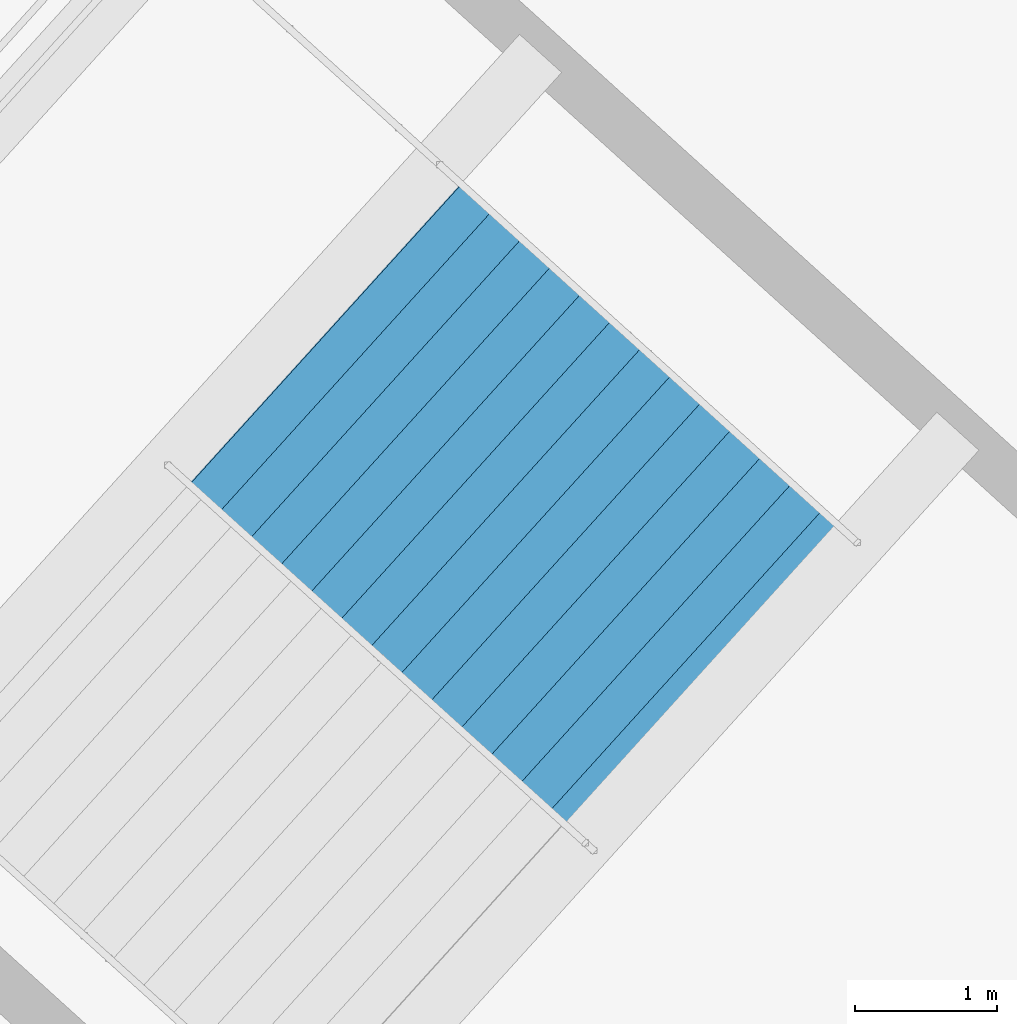
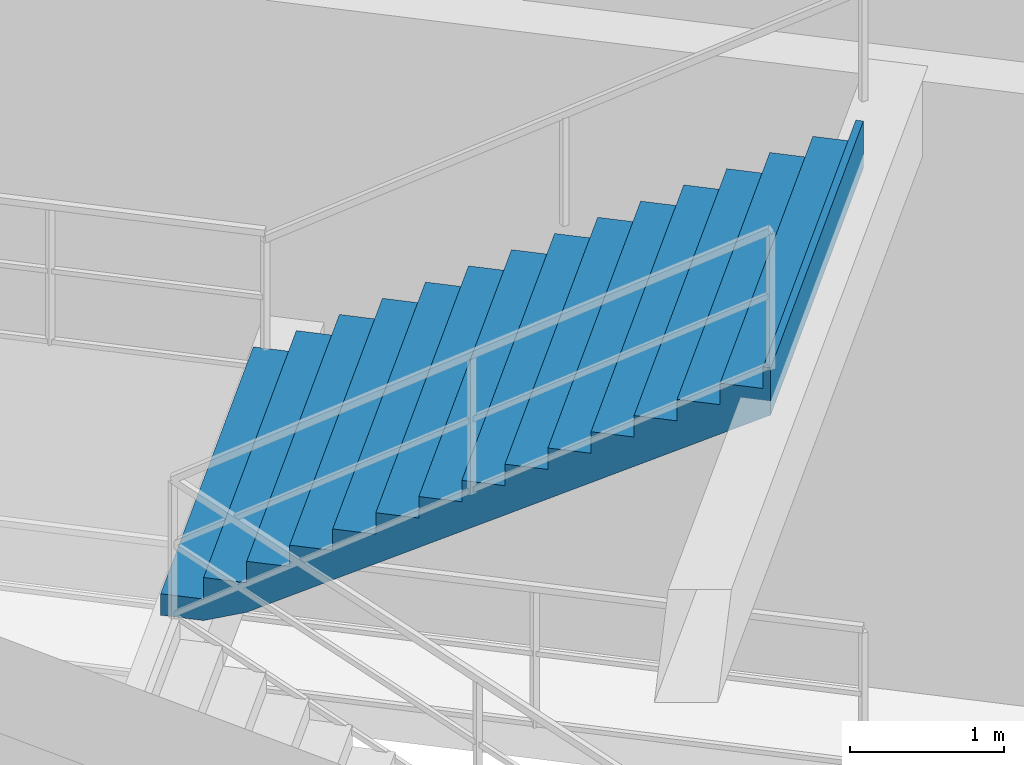
# One storey, part 174 of 184: 1 stair flight, 1 element without a shape of its own.
"""IFC4 building model written with IfcOpenShell, lengths in metres."""

from ifc_helpers import new_model, si_unit, direction, frame, origin, place, context, subcontext, project, spatial, polygons, material, type_object, element, aggregate, save


model = new_model("IFC4")

# Units and contexts
model_context = context("Model", 3, precision=1e-05, world=origin(), true_north=direction((0.0, 1.0)))
body_context = subcontext(model_context, "Body", "Model", "MODEL_VIEW")
ifc_project = project(units=[si_unit("LENGTHUNIT", "METRE"), si_unit("AREAUNIT", "SQUARE_METRE"), si_unit("VOLUMEUNIT", "CUBIC_METRE"), si_unit("PLANEANGLEUNIT", "RADIAN"), si_unit("MASSUNIT", "GRAM", prefix="KILO")], contexts=[model_context])

# Site, building, storey
site_placement = place(None, origin())
site = spatial("IfcSite", under=ifc_project, at=site_placement, CompositionType="ELEMENT")
building_placement = place(site_placement, origin())
building = spatial("IfcBuilding", under=site, at=building_placement, Name="Kazemori Nagisa Stadium", CompositionType="ELEMENT")
storey_placement = place(building_placement, frame((0.0, 0.0, 10.5400390625)))
storey = spatial("IfcBuildingStorey", under=building, at=storey_placement, Name="L02", CompositionType="ELEMENT", Elevation=10.5400390625)

# Stair, stair flight
ifc_material = material(Name="Concrete C36/45 (Fc36)", Category="concrete")
stair_type = type_object("IfcStairType", Name="Stair_CORE_30", PredefinedType="TWO_STRAIGHT_RUN_STAIR", material=ifc_material)
stair_placement = place(storey_placement, origin())
stair = element("IfcStair", 1, at=stair_placement, inside=storey, type_object=stair_type, Name="Exit stair ST01 L02", PredefinedType="TWO_STRAIGHT_RUN_STAIR")
stair_flight_type = type_object("IfcStairFlightType", Name="Flight_CORE_15", PredefinedType="STRAIGHT", material=ifc_material)
stair_flight_placement = place(storey_placement, frame((190.75048828125, 161.21484375, 2.550048828125), z_axis=(0.0, 0.0, 1.0), x_axis=(0.741328442193, -0.67114241469, 0.0)))
stair_flight = element("IfcStairFlight", 2, at=stair_flight_placement, type_object=stair_flight_type, Name="Exit stair ST01 L02 flight 2", NumberOfRisers=15, NumberOfTreads=14, PredefinedType="STRAIGHT", RiserHeight=0.17, TreadLength=0.285, context=body_context, shape_type="Tessellation", body=[
    polygons([(0.0, -1.425048828125, 0.0), (0.0, -1.425048828125, 0.169921875), (0.284912109375, -1.425048828125, 0.169921875), (0.284912109375, -1.425048828125, 0.340087890625), (0.570068359375, -1.425048828125, 0.340087890625), (0.570068359375, -1.425048828125, 0.510009765625), (0.85498046875, -1.425048828125, 0.510009765625), (0.85498046875, -1.425048828125, 0.679931640625), (1.139892578125, -1.425048828125, 0.679931640625), (1.139892578125, -1.425048828125, 0.85009765625), (1.425048828125, -1.425048828125, 0.85009765625), (1.425048828125, -1.425048828125, 1.02001953125), (1.7099609375, -1.425048828125, 1.02001953125), (1.7099609375, -1.425048828125, 1.18994140625), (1.9951171875, -1.425048828125, 1.18994140625), (1.9951171875, -1.425048828125, 1.360107421875), (2.280029296875, -1.425048828125, 1.360107421875), (2.280029296875, -1.425048828125, 1.530029296875), (2.56494140625, -1.425048828125, 1.530029296875), (2.56494140625, -1.425048828125, 1.699951171875), (2.85009765625, -1.425048828125, 1.699951171875), (2.85009765625, -1.425048828125, 1.8701171875), (3.135009765625, -1.425048828125, 1.8701171875), (3.135009765625, -1.425048828125, 2.0400390625), (3.419921875, -1.425048828125, 2.0400390625), (3.419921875, -1.425048828125, 2.2099609375), (3.705078125, -1.425048828125, 2.2099609375), (3.705078125, -1.425048828125, 2.3798828125), (3.989990234375, -1.425048828125, 2.3798828125), (3.989990234375, -1.425048828125, 2.550048828125), (4.0400390625, -1.425048828125, 2.550048828125), (4.0400390625, -1.425048828125, 2.177001953125), (3.989990234375, -1.425048828125, 2.147216796875), (3.705078125, -1.425048828125, 1.977294921875), (3.419921875, -1.425048828125, 1.80712890625), (3.135009765625, -1.425048828125, 1.63720703125), (2.85009765625, -1.425048828125, 1.46728515625), (2.56494140625, -1.425048828125, 1.297119140625), (2.280029296875, -1.425048828125, 1.127197265625), (1.9951171875, -1.425048828125, 0.957275390625), (1.7099609375, -1.425048828125, 0.787109375), (1.425048828125, -1.425048828125, 0.6171875), (1.139892578125, -1.425048828125, 0.447265625), (0.85498046875, -1.425048828125, 0.277099609375), (0.570068359375, -1.425048828125, 0.107177734375), (0.284912109375, -1.425048828125, 0.0), (0.0, -0.08544921875, 0.0), (0.0, -0.08544921875, 0.169921875), (0.284912109375, -0.08544921875, 0.169921875), (0.284912109375, -0.08544921875, 0.340087890625), (0.570068359375, -0.08544921875, 0.340087890625), (0.570068359375, -0.08544921875, 0.510009765625), (0.85498046875, -0.08544921875, 0.510009765625), (0.85498046875, -0.08544921875, 0.679931640625), (1.139892578125, -0.08544921875, 0.679931640625), (1.139892578125, -0.08544921875, 0.85009765625), (1.425048828125, -0.08544921875, 0.85009765625), (1.425048828125, -0.08544921875, 1.02001953125), (1.7099609375, -0.08544921875, 1.02001953125), (1.7099609375, -0.08544921875, 1.18994140625), (1.9951171875, -0.08544921875, 1.18994140625), (1.9951171875, -0.08544921875, 1.360107421875), (2.280029296875, -0.08544921875, 1.360107421875), (2.280029296875, -0.08544921875, 1.530029296875), (2.56494140625, -0.08544921875, 1.530029296875), (2.56494140625, -0.08544921875, 1.699951171875), (2.85009765625, -0.08544921875, 1.699951171875), (2.85009765625, -0.08544921875, 1.8701171875), (3.135009765625, -0.08544921875, 1.8701171875), (3.135009765625, -0.08544921875, 2.0400390625), (3.419921875, -0.08544921875, 2.0400390625), (3.419921875, -0.08544921875, 2.2099609375), (3.705078125, -0.08544921875, 2.2099609375), (3.705078125, -0.08544921875, 2.3798828125), (3.989990234375, -0.08544921875, 2.3798828125), (3.989990234375, -0.08544921875, 2.550048828125), (4.0400390625, -0.08544921875, 2.550048828125), (4.0400390625, -0.08544921875, 2.177001953125), (3.989990234375, -0.08544921875, 2.147216796875), (3.705078125, -0.08544921875, 1.977294921875), (3.419921875, -0.08544921875, 1.80712890625), (3.135009765625, -0.08544921875, 1.63720703125), (2.85009765625, -0.08544921875, 1.46728515625), (2.56494140625, -0.08544921875, 1.297119140625), (2.280029296875, -0.08544921875, 1.127197265625), (1.9951171875, -0.08544921875, 0.957275390625), (1.7099609375, -0.08544921875, 0.787109375), (1.425048828125, -0.08544921875, 0.6171875), (1.139892578125, -0.08544921875, 0.447265625), (0.85498046875, -0.08544921875, 0.277099609375), (0.570068359375, -0.08544921875, 0.107177734375), (0.284912109375, -0.08544921875, 0.0), (0.0, 0.0, 0.0), (0.0, 0.0, 0.169921875), (0.284912109375, 0.0, 0.169921875), (0.284912109375, 0.0, 0.340087890625), (0.570068359375, 0.0, 0.340087890625), (0.570068359375, 0.0, 0.510009765625), (0.85498046875, 0.0, 0.510009765625), (0.85498046875, 0.0, 0.679931640625), (1.139892578125, 0.0, 0.679931640625), (1.139892578125, 0.0, 0.85009765625), (1.425048828125, 0.0, 0.85009765625), (1.425048828125, 0.0, 1.02001953125), (1.7099609375, 0.0, 1.02001953125), (1.7099609375, 0.0, 1.18994140625), (1.9951171875, 0.0, 1.18994140625), (1.9951171875, 0.0, 1.360107421875), (2.280029296875, 0.0, 1.360107421875), (2.280029296875, 0.0, 1.530029296875), (2.56494140625, 0.0, 1.530029296875), (2.56494140625, 0.0, 1.699951171875), (2.85009765625, 0.0, 1.699951171875), (2.85009765625, 0.0, 1.8701171875), (3.135009765625, 0.0, 1.8701171875), (3.135009765625, 0.0, 2.0400390625), (3.419921875, 0.0, 2.0400390625), (3.419921875, 0.0, 2.2099609375), (3.705078125, 0.0, 2.2099609375), (3.705078125, 0.0, 2.3798828125), (3.989990234375, 0.0, 2.3798828125), (3.989990234375, 0.0, 2.550048828125), (4.0400390625, 0.0, 2.550048828125), (4.0400390625, 0.0, 2.177001953125), (3.989990234375, 0.0, 2.147216796875), (3.705078125, 0.0, 1.977294921875), (3.419921875, 0.0, 1.80712890625), (3.135009765625, 0.0, 1.63720703125), (2.85009765625, 0.0, 1.46728515625), (2.56494140625, 0.0, 1.297119140625), (2.280029296875, 0.0, 1.127197265625), (1.9951171875, 0.0, 0.957275390625), (1.7099609375, 0.0, 0.787109375), (1.425048828125, 0.0, 0.6171875), (1.139892578125, 0.0, 0.447265625), (0.85498046875, 0.0, 0.277099609375), (0.570068359375, 0.0, 0.107177734375), (0.284912109375, 0.0, 0.0), (0.0, 0.08544921875, 0.0), (0.0, 0.08544921875, 0.169921875), (0.284912109375, 0.08544921875, 0.169921875), (0.284912109375, 0.08544921875, 0.340087890625), (0.570068359375, 0.08544921875, 0.340087890625), (0.570068359375, 0.08544921875, 0.510009765625), (0.85498046875, 0.08544921875, 0.510009765625), (0.85498046875, 0.08544921875, 0.679931640625), (1.139892578125, 0.08544921875, 0.679931640625), (1.139892578125, 0.08544921875, 0.85009765625), (1.425048828125, 0.08544921875, 0.85009765625), (1.425048828125, 0.08544921875, 1.02001953125), (1.7099609375, 0.08544921875, 1.02001953125), (1.7099609375, 0.08544921875, 1.18994140625), (1.9951171875, 0.08544921875, 1.18994140625), (1.9951171875, 0.08544921875, 1.360107421875), (2.280029296875, 0.08544921875, 1.360107421875), (2.280029296875, 0.08544921875, 1.530029296875), (2.56494140625, 0.08544921875, 1.530029296875), (2.56494140625, 0.08544921875, 1.699951171875), (2.85009765625, 0.08544921875, 1.699951171875), (2.85009765625, 0.08544921875, 1.8701171875), (3.135009765625, 0.08544921875, 1.8701171875), (3.135009765625, 0.08544921875, 2.0400390625), (3.419921875, 0.08544921875, 2.0400390625), (3.419921875, 0.08544921875, 2.2099609375), (3.705078125, 0.08544921875, 2.2099609375), (3.705078125, 0.08544921875, 2.3798828125), (3.989990234375, 0.08544921875, 2.3798828125), (3.989990234375, 0.08544921875, 2.550048828125), (4.0400390625, 0.08544921875, 2.550048828125), (4.0400390625, 0.08544921875, 2.177001953125), (3.989990234375, 0.08544921875, 2.147216796875), (3.705078125, 0.08544921875, 1.977294921875), (3.419921875, 0.08544921875, 1.80712890625), (3.135009765625, 0.08544921875, 1.63720703125), (2.85009765625, 0.08544921875, 1.46728515625), (2.56494140625, 0.08544921875, 1.297119140625), (2.280029296875, 0.08544921875, 1.127197265625), (1.9951171875, 0.08544921875, 0.957275390625), (1.7099609375, 0.08544921875, 0.787109375), (1.425048828125, 0.08544921875, 0.6171875), (1.139892578125, 0.08544921875, 0.447265625), (0.85498046875, 0.08544921875, 0.277099609375), (0.570068359375, 0.08544921875, 0.107177734375), (0.284912109375, 0.08544921875, 0.0), (0.0, 1.425048828125, 0.0), (0.0, 1.425048828125, 0.169921875), (0.284912109375, 1.425048828125, 0.169921875), (0.284912109375, 1.425048828125, 0.340087890625), (0.570068359375, 1.425048828125, 0.340087890625), (0.570068359375, 1.425048828125, 0.510009765625), (0.85498046875, 1.425048828125, 0.510009765625), (0.85498046875, 1.425048828125, 0.679931640625), (1.139892578125, 1.425048828125, 0.679931640625), (1.139892578125, 1.425048828125, 0.85009765625), (1.425048828125, 1.425048828125, 0.85009765625), (1.425048828125, 1.425048828125, 1.02001953125), (1.7099609375, 1.425048828125, 1.02001953125), (1.7099609375, 1.425048828125, 1.18994140625), (1.9951171875, 1.425048828125, 1.18994140625), (1.9951171875, 1.425048828125, 1.360107421875), (2.280029296875, 1.425048828125, 1.360107421875), (2.280029296875, 1.425048828125, 1.530029296875), (2.56494140625, 1.425048828125, 1.530029296875), (2.56494140625, 1.425048828125, 1.699951171875), (2.85009765625, 1.425048828125, 1.699951171875), (2.85009765625, 1.425048828125, 1.8701171875), (3.135009765625, 1.425048828125, 1.8701171875), (3.135009765625, 1.425048828125, 2.0400390625), (3.419921875, 1.425048828125, 2.0400390625), (3.419921875, 1.425048828125, 2.2099609375), (3.705078125, 1.425048828125, 2.2099609375), (3.705078125, 1.425048828125, 2.3798828125), (3.989990234375, 1.425048828125, 2.3798828125), (3.989990234375, 1.425048828125, 2.550048828125), (4.0400390625, 1.425048828125, 2.550048828125), (4.0400390625, 1.425048828125, 2.177001953125), (3.989990234375, 1.425048828125, 2.147216796875), (3.705078125, 1.425048828125, 1.977294921875), (3.419921875, 1.425048828125, 1.80712890625), (3.135009765625, 1.425048828125, 1.63720703125), (2.85009765625, 1.425048828125, 1.46728515625), (2.56494140625, 1.425048828125, 1.297119140625), (2.280029296875, 1.425048828125, 1.127197265625), (1.9951171875, 1.425048828125, 0.957275390625), (1.7099609375, 1.425048828125, 0.787109375), (1.425048828125, 1.425048828125, 0.6171875), (1.139892578125, 1.425048828125, 0.447265625), (0.85498046875, 1.425048828125, 0.277099609375), (0.570068359375, 1.425048828125, 0.107177734375), (0.284912109375, 1.425048828125, 0.0)], [[[1, 2, 48]], [[1, 48, 47]], [[2, 3, 49]], [[2, 49, 48]], [[3, 4, 50]], [[3, 50, 49]], [[4, 5, 51]], [[4, 51, 50]], [[5, 6, 52]], [[5, 52, 51]], [[6, 7, 53]], [[6, 53, 52]], [[7, 8, 54]], [[7, 54, 53]], [[8, 9, 55]], [[8, 55, 54]], [[9, 10, 56]], [[9, 56, 55]], [[10, 11, 57]], [[10, 57, 56]], [[11, 12, 58]], [[11, 58, 57]], [[12, 13, 59]], [[12, 59, 58]], [[13, 14, 60]], [[13, 60, 59]], [[14, 15, 61]], [[14, 61, 60]], [[15, 16, 62]], [[15, 62, 61]], [[16, 17, 63]], [[16, 63, 62]], [[17, 18, 64]], [[17, 64, 63]], [[18, 19, 65]], [[18, 65, 64]], [[19, 20, 66]], [[19, 66, 65]], [[20, 21, 67]], [[20, 67, 66]], [[21, 22, 68]], [[21, 68, 67]], [[22, 23, 69]], [[22, 69, 68]], [[23, 24, 70]], [[23, 70, 69]], [[24, 25, 71]], [[24, 71, 70]], [[25, 26, 72]], [[25, 72, 71]], [[26, 27, 73]], [[26, 73, 72]], [[27, 28, 74]], [[27, 74, 73]], [[28, 29, 75]], [[28, 75, 74]], [[29, 30, 76]], [[29, 76, 75]], [[30, 31, 77]], [[30, 77, 76]], [[31, 32, 78]], [[31, 78, 77]], [[32, 33, 79]], [[32, 79, 78]], [[33, 34, 80]], [[33, 80, 79]], [[34, 35, 81]], [[34, 81, 80]], [[35, 36, 82]], [[35, 82, 81]], [[36, 37, 83]], [[36, 83, 82]], [[37, 38, 84]], [[37, 84, 83]], [[38, 39, 85]], [[38, 85, 84]], [[39, 40, 86]], [[39, 86, 85]], [[40, 41, 87]], [[40, 87, 86]], [[41, 42, 88]], [[41, 88, 87]], [[42, 43, 89]], [[42, 89, 88]], [[43, 44, 90]], [[43, 90, 89]], [[44, 45, 91]], [[44, 91, 90]], [[45, 46, 92]], [[45, 92, 91]], [[46, 1, 47]], [[46, 47, 92]], [[47, 48, 94]], [[47, 94, 93]], [[48, 49, 95]], [[48, 95, 94]], [[49, 50, 96]], [[49, 96, 95]], [[50, 51, 97]], [[50, 97, 96]], [[51, 52, 98]], [[51, 98, 97]], [[52, 53, 99]], [[52, 99, 98]], [[53, 54, 100]], [[53, 100, 99]], [[54, 55, 101]], [[54, 101, 100]], [[55, 56, 102]], [[55, 102, 101]], [[56, 57, 103]], [[56, 103, 102]], [[57, 58, 104]], [[57, 104, 103]], [[58, 59, 105]], [[58, 105, 104]], [[59, 60, 106]], [[59, 106, 105]], [[60, 61, 107]], [[60, 107, 106]], [[61, 62, 108]], [[61, 108, 107]], [[62, 63, 109]], [[62, 109, 108]], [[63, 64, 110]], [[63, 110, 109]], [[64, 65, 111]], [[64, 111, 110]], [[65, 66, 112]], [[65, 112, 111]], [[66, 67, 113]], [[66, 113, 112]], [[67, 68, 114]], [[67, 114, 113]], [[68, 69, 115]], [[68, 115, 114]], [[69, 70, 116]], [[69, 116, 115]], [[70, 71, 117]], [[70, 117, 116]], [[71, 72, 118]], [[71, 118, 117]], [[72, 73, 119]], [[72, 119, 118]], [[73, 74, 120]], [[73, 120, 119]], [[74, 75, 121]], [[74, 121, 120]], [[75, 76, 122]], [[75, 122, 121]], [[76, 77, 123]], [[76, 123, 122]], [[77, 78, 124]], [[77, 124, 123]], [[78, 79, 125]], [[78, 125, 124]], [[79, 80, 126]], [[79, 126, 125]], [[80, 81, 127]], [[80, 127, 126]], [[81, 82, 128]], [[81, 128, 127]], [[82, 83, 129]], [[82, 129, 128]], [[83, 84, 130]], [[83, 130, 129]], [[84, 85, 131]], [[84, 131, 130]], [[85, 86, 132]], [[85, 132, 131]], [[86, 87, 133]], [[86, 133, 132]], [[87, 88, 134]], [[87, 134, 133]], [[88, 89, 135]], [[88, 135, 134]], [[89, 90, 136]], [[89, 136, 135]], [[90, 91, 137]], [[90, 137, 136]], [[91, 92, 138]], [[91, 138, 137]], [[92, 47, 93]], [[92, 93, 138]], [[93, 94, 140]], [[93, 140, 139]], [[94, 95, 141]], [[94, 141, 140]], [[95, 96, 142]], [[95, 142, 141]], [[96, 97, 143]], [[96, 143, 142]], [[97, 98, 144]], [[97, 144, 143]], [[98, 99, 145]], [[98, 145, 144]], [[99, 100, 146]], [[99, 146, 145]], [[100, 101, 147]], [[100, 147, 146]], [[101, 102, 148]], [[101, 148, 147]], [[102, 103, 149]], [[102, 149, 148]], [[103, 104, 150]], [[103, 150, 149]], [[104, 105, 151]], [[104, 151, 150]], [[105, 106, 152]], [[105, 152, 151]], [[106, 107, 153]], [[106, 153, 152]], [[107, 108, 154]], [[107, 154, 153]], [[108, 109, 155]], [[108, 155, 154]], [[109, 110, 156]], [[109, 156, 155]], [[110, 111, 157]], [[110, 157, 156]], [[111, 112, 158]], [[111, 158, 157]], [[112, 113, 159]], [[112, 159, 158]], [[113, 114, 160]], [[113, 160, 159]], [[114, 115, 161]], [[114, 161, 160]], [[115, 116, 162]], [[115, 162, 161]], [[116, 117, 163]], [[116, 163, 162]], [[117, 118, 164]], [[117, 164, 163]], [[118, 119, 165]], [[118, 165, 164]], [[119, 120, 166]], [[119, 166, 165]], [[120, 121, 167]], [[120, 167, 166]], [[121, 122, 168]], [[121, 168, 167]], [[122, 123, 169]], [[122, 169, 168]], [[123, 124, 170]], [[123, 170, 169]], [[124, 125, 171]], [[124, 171, 170]], [[125, 126, 172]], [[125, 172, 171]], [[126, 127, 173]], [[126, 173, 172]], [[127, 128, 174]], [[127, 174, 173]], [[128, 129, 175]], [[128, 175, 174]], [[129, 130, 176]], [[129, 176, 175]], [[130, 131, 177]], [[130, 177, 176]], [[131, 132, 178]], [[131, 178, 177]], [[132, 133, 179]], [[132, 179, 178]], [[133, 134, 180]], [[133, 180, 179]], [[134, 135, 181]], [[134, 181, 180]], [[135, 136, 182]], [[135, 182, 181]], [[136, 137, 183]], [[136, 183, 182]], [[137, 138, 184]], [[137, 184, 183]], [[138, 93, 139]], [[138, 139, 184]], [[139, 140, 186]], [[139, 186, 185]], [[140, 141, 187]], [[140, 187, 186]], [[141, 142, 188]], [[141, 188, 187]], [[142, 143, 189]], [[142, 189, 188]], [[143, 144, 190]], [[143, 190, 189]], [[144, 145, 191]], [[144, 191, 190]], [[145, 146, 192]], [[145, 192, 191]], [[146, 147, 193]], [[146, 193, 192]], [[147, 148, 194]], [[147, 194, 193]], [[148, 149, 195]], [[148, 195, 194]], [[149, 150, 196]], [[149, 196, 195]], [[150, 151, 197]], [[150, 197, 196]], [[151, 152, 198]], [[151, 198, 197]], [[152, 153, 199]], [[152, 199, 198]], [[153, 154, 200]], [[153, 200, 199]], [[154, 155, 201]], [[154, 201, 200]], [[155, 156, 202]], [[155, 202, 201]], [[156, 157, 203]], [[156, 203, 202]], [[157, 158, 204]], [[157, 204, 203]], [[158, 159, 205]], [[158, 205, 204]], [[159, 160, 206]], [[159, 206, 205]], [[160, 161, 207]], [[160, 207, 206]], [[161, 162, 208]], [[161, 208, 207]], [[162, 163, 209]], [[162, 209, 208]], [[163, 164, 210]], [[163, 210, 209]], [[164, 165, 211]], [[164, 211, 210]], [[165, 166, 212]], [[165, 212, 211]], [[166, 167, 213]], [[166, 213, 212]], [[167, 168, 214]], [[167, 214, 213]], [[168, 169, 215]], [[168, 215, 214]], [[169, 170, 216]], [[169, 216, 215]], [[170, 171, 217]], [[170, 217, 216]], [[171, 172, 218]], [[171, 218, 217]], [[172, 173, 219]], [[172, 219, 218]], [[173, 174, 220]], [[173, 220, 219]], [[174, 175, 221]], [[174, 221, 220]], [[175, 176, 222]], [[175, 222, 221]], [[176, 177, 223]], [[176, 223, 222]], [[177, 178, 224]], [[177, 224, 223]], [[178, 179, 225]], [[178, 225, 224]], [[179, 180, 226]], [[179, 226, 225]], [[180, 181, 227]], [[180, 227, 226]], [[181, 182, 228]], [[181, 228, 227]], [[182, 183, 229]], [[182, 229, 228]], [[183, 184, 230]], [[183, 230, 229]], [[184, 139, 185]], [[184, 185, 230]], [[3, 2, 1]], [[185, 186, 187]], [[46, 3, 1]], [[185, 187, 230]], [[45, 3, 46]], [[230, 187, 229]], [[5, 3, 45]], [[229, 187, 189]], [[5, 4, 3]], [[187, 188, 189]], [[44, 5, 45]], [[229, 189, 228]], [[7, 5, 44]], [[228, 189, 191]], [[7, 6, 5]], [[189, 190, 191]], [[43, 7, 44]], [[228, 191, 227]], [[9, 7, 43]], [[227, 191, 193]], [[9, 8, 7]], [[191, 192, 193]], [[42, 9, 43]], [[227, 193, 226]], [[11, 9, 42]], [[226, 193, 195]], [[11, 10, 9]], [[193, 194, 195]], [[41, 11, 42]], [[226, 195, 225]], [[13, 11, 41]], [[225, 195, 197]], [[13, 12, 11]], [[195, 196, 197]], [[40, 13, 41]], [[225, 197, 224]], [[15, 13, 40]], [[224, 197, 199]], [[15, 14, 13]], [[197, 198, 199]], [[39, 15, 40]], [[224, 199, 223]], [[17, 15, 39]], [[223, 199, 201]], [[17, 16, 15]], [[199, 200, 201]], [[38, 17, 39]], [[223, 201, 222]], [[19, 17, 38]], [[222, 201, 203]], [[19, 18, 17]], [[201, 202, 203]], [[37, 19, 38]], [[222, 203, 221]], [[21, 19, 37]], [[221, 203, 205]], [[21, 20, 19]], [[203, 204, 205]], [[36, 21, 37]], [[221, 205, 220]], [[23, 21, 36]], [[220, 205, 207]], [[23, 22, 21]], [[205, 206, 207]], [[35, 23, 36]], [[220, 207, 219]], [[25, 23, 35]], [[219, 207, 209]], [[25, 24, 23]], [[207, 208, 209]], [[34, 25, 35]], [[219, 209, 218]], [[27, 25, 34]], [[218, 209, 211]], [[27, 26, 25]], [[209, 210, 211]], [[33, 27, 34]], [[218, 211, 217]], [[29, 27, 33]], [[217, 211, 213]], [[29, 28, 27]], [[211, 212, 213]], [[32, 29, 33]], [[217, 213, 216]], [[31, 29, 32]], [[216, 213, 215]], [[31, 30, 29]], [[213, 214, 215]]], closed=True),
])
aggregate(stair, [stair_flight])

save(model, "model.ifc")
